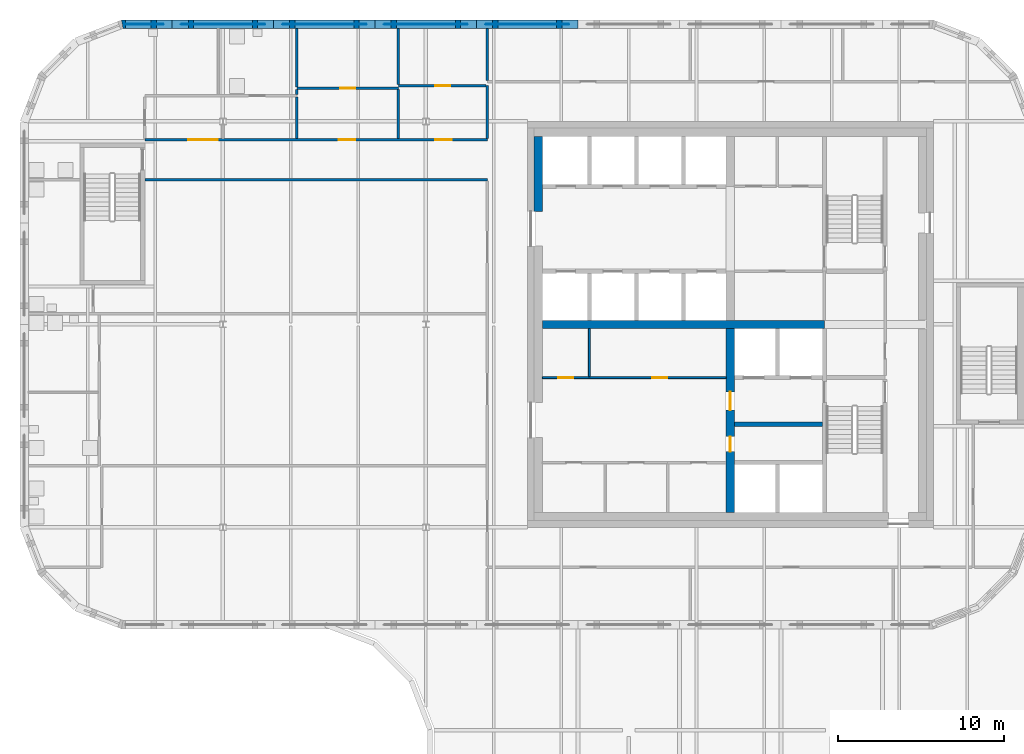
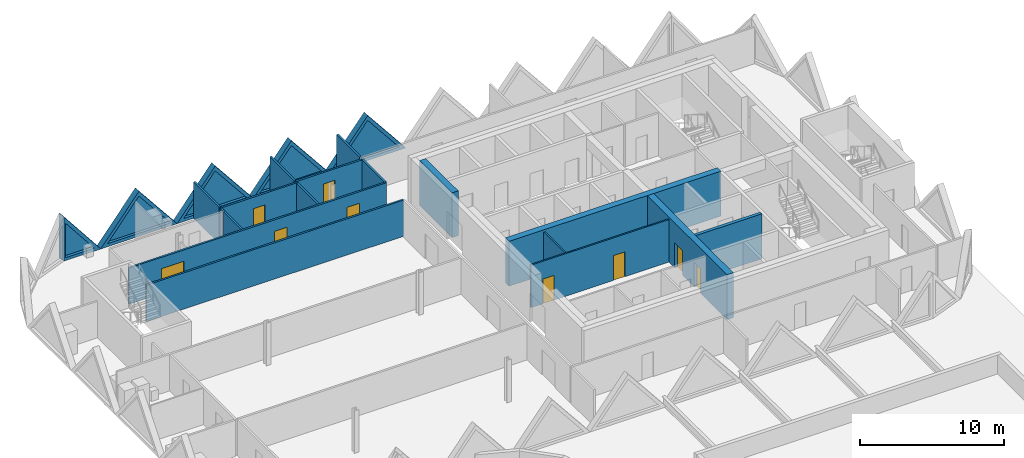
# One storey, part 7 of 12: 22 walls, 9 doors, 5 plates, 14 openings.
"""IFC4 building model written with IfcOpenShell, lengths in metres."""

from ifc_helpers import new_model, si_unit, direction, frame, frame_2d, origin, place, context, subcontext, project, spatial, polyline, rectangle, outline, extrude, faceted_brep, source, transform, mapped, material, layer, layer_set, type_object, element, fill, save


model = new_model("IFC4")

# Units and contexts
model_context = context("Model", 3, precision=1e-05, world=origin(), true_north=direction((0.0, 1.0)))
body_context = subcontext(model_context, "Body", "Model", "MODEL_VIEW")
ifc_project = project(units=[si_unit("LENGTHUNIT", "METRE"), si_unit("AREAUNIT", "SQUARE_METRE"), si_unit("VOLUMEUNIT", "CUBIC_METRE"), si_unit("PLANEANGLEUNIT", "RADIAN"), si_unit("MASSUNIT", "GRAM", prefix="KILO")], contexts=[model_context])

# Site, building, storey
site_placement = place(None, origin())
site = spatial("IfcSite", under=ifc_project, at=site_placement, CompositionType="ELEMENT")
building_placement = place(site_placement, origin())
building = spatial("IfcBuilding", under=site, at=building_placement, Name="Tessera Gate Towers", CompositionType="ELEMENT")
storey_placement = place(building_placement, frame((0.0, 0.0, 236.89990234375)))
storey = spatial("IfcBuildingStorey", under=building, at=storey_placement, Name="L59", CompositionType="ELEMENT", Elevation=236.89990234375)

# Wall
ifc_material_1 = material(Name="Concrete C40/50", Category="concrete")
ifc_layer_1 = layer(ifc_material_1, 0.25)
ifc_layer_set_1 = layer_set([ifc_layer_1], Name="CORE ENCLOSURE WALL 250")
wall_type_1 = type_object("IfcWallType", Name="CORE ENCLOSURE WALL 250", PredefinedType="SOLIDWALL", material=ifc_layer_set_1)
wall_1_placement = place(storey_placement, frame((42.949951171875, 30.60009765625, 0.0), z_axis=(0.0, 0.0, 1.0), x_axis=(1.0, 0.0, 0.0)))
element("IfcWall", 1, at=wall_1_placement, inside=storey, type_object=wall_type_1, Name="L59 shaft and stair enclosure wall", PredefinedType="SOLIDWALL", context=body_context, shape_type="SweptSolid", body=[
    extrude(rectangle(XDim=5.275146484375, YDim=0.25, at=frame_2d((2.6376953125, 0.0))), origin(), (0.0, 0.0, 1.0), 3.800048828125),
])

# Wall, openings, doors
ifc_material_2 = material(Name="Gypsum board on steel studs", Category="steel")
ifc_layer_2 = layer(ifc_material_2, 0.1201171875)
ifc_layer_set_2 = layer_set([ifc_layer_2], Name="CORE PARTITION 120")
wall_type_2 = type_object("IfcWallType", Name="CORE PARTITION 120", PredefinedType="PARTITIONING", material=ifc_layer_set_2)
wall_2_placement = place(storey_placement, frame((31.39990234375, 33.39990234375, 0.0), z_axis=(0.0, 0.0, 1.0), x_axis=(1.0, 0.0, 0.0)))
wall_2 = element("IfcWall", 2, at=wall_2_placement, inside=storey, type_object=wall_type_2, Name="L59 core partition", PredefinedType="PARTITIONING", context=body_context, shape_type="SweptSolid", body=[
    extrude(rectangle(XDim=11.050048828125, YDim=0.1201171875, at=frame_2d((5.52490234375, 0.0))), origin(), (0.0, 0.0, 1.0), 3.60009765625),
])
shared_shape_1 = source(origin(), body_context, "Body", "SweptSolid", [
    extrude(rectangle(XDim=0.89990234375, YDim=2.10009765625, at=frame_2d((0.449951171875, 1.050048828125))), frame((0.0, 0.070068359375, 0.0), z_axis=(0.0, -1.0, 0.0), x_axis=(1.0, 0.0, 0.0)), (0.0, 0.0, 1.0), 0.14013671875),
])
opening_1_placement = place(wall_2_placement, frame((0.96240234375, 0.0, 0.0)))
opening_1 = element("IfcOpeningElement", 3, at=opening_1_placement, cuts=wall_2, Name="Opening RD-T1-36-07", PredefinedType="OPENING", context=body_context, shape_type="MappedRepresentation", body=[
    mapped(shared_shape_1, transform((0.0, 0.0, 0.0), scale=1.0)),
])
opening_2_placement = place(wall_2_placement, frame((6.612548828125, 0.0, 0.0)))
opening_2 = element("IfcOpeningElement", 4, at=opening_2_placement, cuts=wall_2, Name="Opening RD-T1-36-08", PredefinedType="OPENING", context=body_context, shape_type="MappedRepresentation", body=[
    mapped(shared_shape_1, transform((0.0, 0.0, 0.0), scale=1.0)),
])
ifc_material_3 = material(Name="Hollow steel fire door", Category="steel")
door_type_1 = type_object("IfcDoorType", Name="CORE DOOR RD 900x2100", OperationType="NOTDEFINED", PredefinedType="DOOR", material=ifc_material_3)
shared_shape_2 = source(origin(), body_context, "Body", "SweptSolid", [
    extrude(rectangle(XDim=0.89990234375, YDim=2.10009765625, at=frame_2d((0.449951171875, 1.050048828125))), frame((0.0, 0.02490234375, 0.0), z_axis=(0.0, -1.0, 0.0), x_axis=(1.0, 0.0, 0.0)), (0.0, 0.0, 1.0), 0.050048828125),
])
door_1_placement = place(opening_1_placement, origin())
door_1 = element("IfcDoor", 5, at=door_1_placement, inside=storey, type_object=door_type_1, Name="Core room door", OperationType="SINGLE_SWING_LEFT", OverallHeight=2.10009765625, OverallWidth=0.89990234375, PredefinedType="DOOR", context=body_context, shape_type="MappedRepresentation", body=[
    mapped(shared_shape_2, transform((0.0, 0.0, 0.0), scale=1.0)),
])
fill(opening_1, door_1)
door_2_placement = place(opening_2_placement, origin())
door_2 = element("IfcDoor", 6, at=door_2_placement, inside=storey, type_object=door_type_1, Name="Core room door", OperationType="SINGLE_SWING_RIGHT", OverallHeight=2.10009765625, OverallWidth=0.89990234375, PredefinedType="DOOR", context=body_context, shape_type="MappedRepresentation", body=[
    mapped(shared_shape_2, transform((0.0, 0.0, 0.0), scale=1.0)),
])
fill(opening_2, door_2)

# Walls
wall_3_placement = place(storey_placement, frame((34.22509765625, 33.4599609375, 0.0), z_axis=(0.0, 0.0, 1.0), x_axis=(0.0, 1.0, 0.0)))
element("IfcWall", 7, at=wall_3_placement, inside=storey, type_object=wall_type_2, Name="L59 core partition", PredefinedType="PARTITIONING", context=body_context, shape_type="SweptSolid", body=[
    extrude(rectangle(XDim=2.89013671875, YDim=0.1201171875, at=frame_2d((1.445068359375, 0.0))), origin(), (0.0, 0.0, 1.0), 3.60009765625),
])
ifc_material_4 = material(Name="Concrete C40/50", Category="concrete")
ifc_layer_3 = layer(ifc_material_4, 0.5)
ifc_layer_set_3 = layer_set([ifc_layer_3], Name="CORE SPINE WALL 500 C40/50")
wall_type_3 = type_object("IfcWallType", Name="CORE SPINE WALL 500 C40/50", PredefinedType="SHEAR", material=ifc_layer_set_3)
wall_4_placement = place(storey_placement, frame((31.39990234375, 36.60009765625, 0.0), z_axis=(0.0, 0.0, 1.0), x_axis=(1.0, 0.0, 0.0)))
element("IfcWall", 8, at=wall_4_placement, inside=storey, type_object=wall_type_3, Name="Core wall spine L59", PredefinedType="SHEAR", context=body_context, shape_type="SweptSolid", body=[
    extrude(rectangle(XDim=16.9501953125, YDim=0.5, at=frame_2d((8.47509765625, 0.0))), origin(), (0.0, 0.0, 1.0), 3.800048828125),
])

# Wall, openings, doors
wall_5_placement = place(storey_placement, frame((42.699951171875, 36.35009765625, 0.0), z_axis=(0.0, 0.0, 1.0), x_axis=(0.0, -1.0, 0.0)))
wall_5 = element("IfcWall", 9, at=wall_5_placement, inside=storey, type_object=wall_type_3, Name="Core wall spine L59", PredefinedType="SHEAR", context=body_context, shape_type="SweptSolid", body=[
    extrude(rectangle(XDim=11.050048828125, YDim=0.5, at=frame_2d((5.52490234375, 0.0))), origin(), (0.0, 0.0, 1.0), 3.800048828125),
])
shared_shape_3 = source(origin(), body_context, "Body", "SweptSolid", [
    extrude(rectangle(XDim=0.89990234375, YDim=2.10009765625, at=frame_2d((0.449951171875, 1.050048828125))), frame((0.0, 0.260009765625, 0.0), z_axis=(0.0, -1.0, 0.0), x_axis=(1.0, 0.0, 0.0)), (0.0, 0.0, 1.0), 0.52001953125),
])
opening_3_placement = place(wall_5_placement, frame((6.5, 0.0, 0.0)))
opening_3 = element("IfcOpeningElement", 10, at=opening_3_placement, cuts=wall_5, Name="Opening RD-T1-36-05", PredefinedType="OPENING", context=body_context, shape_type="MappedRepresentation", body=[
    mapped(shared_shape_3, transform((0.0, 0.0, 0.0), scale=1.0)),
])
shared_shape_4 = source(origin(), body_context, "Body", "SweptSolid", [
    extrude(rectangle(XDim=1.10009765625, YDim=2.10009765625, at=frame_2d((0.550048828125, 1.050048828125))), frame((0.0, 0.260009765625, 0.0), z_axis=(0.0, -1.0, 0.0), x_axis=(1.0, 0.0, 0.0)), (0.0, 0.0, 1.0), 0.52001953125),
])
opening_4_placement = place(wall_5_placement, frame((3.800048828125, 0.0, 0.0)))
opening_4 = element("IfcOpeningElement", 11, at=opening_4_placement, cuts=wall_5, Name="Opening FD-T1-36-06", PredefinedType="OPENING", context=body_context, shape_type="MappedRepresentation", body=[
    mapped(shared_shape_4, transform((0.0, 0.0, 0.0), scale=1.0)),
])
door_3_placement = place(opening_3_placement, origin())
door_3 = element("IfcDoor", 12, at=door_3_placement, inside=storey, type_object=door_type_1, Name="Core room door", OperationType="SINGLE_SWING_RIGHT", OverallHeight=2.10009765625, OverallWidth=0.89990234375, PredefinedType="DOOR", context=body_context, shape_type="MappedRepresentation", body=[
    mapped(shared_shape_2, transform((0.0, 0.0, 0.0), scale=1.0)),
])
fill(opening_3, door_3)
ifc_material_5 = material(Name="Hollow steel fire door", Category="steel")
door_type_2 = type_object("IfcDoorType", Name="CORE DOOR FD 1100x2100", OperationType="NOTDEFINED", PredefinedType="DOOR", material=ifc_material_5)
shared_shape_5 = source(origin(), body_context, "Body", "SweptSolid", [
    extrude(rectangle(XDim=1.10009765625, YDim=2.10009765625, at=frame_2d((0.550048828125, 1.050048828125))), frame((0.0, 0.02490234375, 0.0), z_axis=(0.0, -1.0, 0.0), x_axis=(1.0, 0.0, 0.0)), (0.0, 0.0, 1.0), 0.050048828125),
])
door_4_placement = place(opening_4_placement, origin())
door_4 = element("IfcDoor", 13, at=door_4_placement, inside=storey, type_object=door_type_2, Name="Fire-fighting lobby door", OperationType="SINGLE_SWING_LEFT", OverallHeight=2.10009765625, OverallWidth=1.10009765625, PredefinedType="DOOR", context=body_context, shape_type="MappedRepresentation", body=[
    mapped(shared_shape_5, transform((0.0, 0.0, 0.0), scale=1.0)),
])
fill(opening_4, door_4)

# Walls
ifc_material_6 = material(Name="Concrete C40/50", Category="concrete")
ifc_layer_4 = layer(ifc_material_6, 0.5)
ifc_layer_set_4 = layer_set([ifc_layer_4], Name="CORE WALL THICKENING 500")
wall_type_4 = type_object("IfcWallType", Name="CORE WALL THICKENING 500", PredefinedType="SOLIDWALL", material=ifc_layer_set_4)
wall_6_placement = place(storey_placement, frame((31.14990234375, 43.39990234375, 0.0), z_axis=(0.0, 0.0, 1.0), x_axis=(0.0, 1.0, 0.0)))
element("IfcWall", 14, at=wall_6_placement, inside=storey, type_object=wall_type_4, Name="Core wall thickening W L59", PredefinedType="SOLIDWALL", context=body_context, shape_type="SweptSolid", body=[
    extrude(rectangle(XDim=4.5, YDim=0.5, at=frame_2d((2.25, 0.0))), origin(), (0.0, 0.0, 1.0), 3.800048828125),
])
ifc_material_7 = material(Name="Gypsum board on steel studs, mineral wool", Category="steel")
ifc_layer_5 = layer(ifc_material_7, 0.14990234375)
ifc_layer_set_5 = layer_set([ifc_layer_5], Name="CORRIDOR WALL 150")
wall_type_5 = type_object("IfcWallType", Name="CORRIDOR WALL 150", PredefinedType="PARTITIONING", material=ifc_layer_set_5)
wall_7_placement = place(storey_placement, frame((7.5, 45.300048828125, 0.0), z_axis=(0.0, 0.0, 1.0), x_axis=(1.0, 0.0, 0.0)))
element("IfcWall", 15, at=wall_7_placement, inside=storey, type_object=wall_type_5, Name="T1-L59-PW-017", PredefinedType="PARTITIONING", context=body_context, shape_type="SweptSolid", body=[
    extrude(rectangle(XDim=20.60009765625, YDim=0.14990234375, at=frame_2d((10.300048828125, 0.0))), origin(), (0.0, 0.0, 1.0), 3.067138671875),
])

# Wall, openings, doors
wall_8_placement = place(storey_placement, frame((7.5, 47.699951171875, 0.0), z_axis=(0.0, 0.0, 1.0), x_axis=(1.0, 0.0, 0.0)))
wall_8 = element("IfcWall", 16, at=wall_8_placement, inside=storey, type_object=wall_type_5, Name="T1-L59-PW-018", PredefinedType="PARTITIONING", context=body_context, shape_type="SweptSolid", body=[
    extrude(rectangle(XDim=20.60009765625, YDim=0.14990234375, at=frame_2d((10.300048828125, 0.0))), origin(), (0.0, 0.0, 1.0), 3.067138671875),
])
shared_shape_6 = source(origin(), body_context, "Body", "SweptSolid", [
    extrude(rectangle(XDim=1.0, YDim=2.10009765625, at=frame_2d((0.5, 1.050048828125))), frame((0.0, 0.0849609375, 0.0), z_axis=(0.0, -1.0, 0.0), x_axis=(1.0, 0.0, 0.0)), (0.0, 0.0, 1.0), 0.169921875),
])
opening_5_placement = place(wall_8_placement, frame((17.450927734375, 0.0, 0.0)))
opening_5 = element("IfcOpeningElement", 17, at=opening_5_placement, cuts=wall_8, Name="Opening D2100FD60-A36-01", PredefinedType="OPENING", context=body_context, shape_type="MappedRepresentation", body=[
    mapped(shared_shape_6, transform((0.0, 0.0, 0.0), scale=1.0)),
])
opening_6_placement = place(wall_8_placement, frame((11.65087890625, 0.0, 0.0)))
opening_6 = element("IfcOpeningElement", 18, at=opening_6_placement, cuts=wall_8, Name="Opening D2100FD60-A36-02", PredefinedType="OPENING", context=body_context, shape_type="MappedRepresentation", body=[
    mapped(shared_shape_6, transform((0.0, 0.0, 0.0), scale=1.0)),
])
shared_shape_7 = source(origin(), body_context, "Body", "SweptSolid", [
    extrude(rectangle(XDim=1.800048828125, YDim=2.10009765625, at=frame_2d((0.89990234375, 1.050048828125))), frame((0.0, 0.0849609375, 0.0), z_axis=(0.0, -1.0, 0.0), x_axis=(1.0, 0.0, 0.0)), (0.0, 0.0, 1.0), 0.169921875),
])
opening_7_placement = place(wall_8_placement, frame((2.60009765625, 0.0, 0.0)))
opening_7 = element("IfcOpeningElement", 19, at=opening_7_placement, cuts=wall_8, Name="Opening D2180FD60-A36-03", PredefinedType="OPENING", context=body_context, shape_type="MappedRepresentation", body=[
    mapped(shared_shape_7, transform((0.0, 0.0, 0.0), scale=1.0)),
])
ifc_material_8 = material(Name="Timber door leaf in steel frame", Category="steel")
door_type_3 = type_object("IfcDoorType", Name="TENANCY ENTRANCE DOOR 1000 FD60", OperationType="NOTDEFINED", PredefinedType="DOOR", material=ifc_material_8)
shared_shape_8 = source(origin(), body_context, "Body", "SweptSolid", [
    extrude(rectangle(XDim=1.0, YDim=2.10009765625, at=frame_2d((0.5, 1.050048828125))), frame((0.0, 0.02490234375, 0.0), z_axis=(0.0, -1.0, 0.0), x_axis=(1.0, 0.0, 0.0)), (0.0, 0.0, 1.0), 0.050048828125),
])
door_5_placement = place(opening_5_placement, origin())
door_5 = element("IfcDoor", 20, at=door_5_placement, inside=storey, type_object=door_type_3, Name="T1-L59-PD-007", OperationType="SINGLE_SWING_LEFT", OverallHeight=2.10009765625, OverallWidth=1.0, PredefinedType="DOOR", context=body_context, shape_type="MappedRepresentation", body=[
    mapped(shared_shape_8, transform((0.0, 0.0, 0.0), scale=1.0)),
])
fill(opening_5, door_5)
door_6_placement = place(opening_6_placement, origin())
door_6 = element("IfcDoor", 21, at=door_6_placement, inside=storey, type_object=door_type_3, Name="T1-L59-PD-009", OperationType="SINGLE_SWING_LEFT", OverallHeight=2.10009765625, OverallWidth=1.0, PredefinedType="DOOR", context=body_context, shape_type="MappedRepresentation", body=[
    mapped(shared_shape_8, transform((0.0, 0.0, 0.0), scale=1.0)),
])
fill(opening_6, door_6)
ifc_material_9 = material(Name="Timber door leaf in steel frame", Category="steel")
door_type_4 = type_object("IfcDoorType", Name="TENANCY ENTRANCE DOUBLE DOOR 1800 FD60", OperationType="NOTDEFINED", PredefinedType="DOOR", material=ifc_material_9)
shared_shape_9 = source(origin(), body_context, "Body", "SweptSolid", [
    extrude(rectangle(XDim=1.800048828125, YDim=2.10009765625, at=frame_2d((0.89990234375, 1.050048828125))), frame((0.0, 0.02490234375, 0.0), z_axis=(0.0, -1.0, 0.0), x_axis=(1.0, 0.0, 0.0)), (0.0, 0.0, 1.0), 0.050048828125),
])
door_7_placement = place(opening_7_placement, origin())
door_7 = element("IfcDoor", 22, at=door_7_placement, inside=storey, type_object=door_type_4, Name="T1-L59-PD-015", OperationType="DOUBLE_DOOR_SINGLE_SWING", OverallHeight=2.10009765625, OverallWidth=1.800048828125, PredefinedType="DOOR", context=body_context, shape_type="MappedRepresentation", body=[
    mapped(shared_shape_9, transform((0.0, 0.0, 0.0), scale=1.0)),
])
fill(opening_7, door_7)

# Walls
wall_9_placement = place(storey_placement, frame((28.10009765625, 47.77587890625, 0.0), z_axis=(0.0, 0.0, 1.0), x_axis=(0.0, 1.0, 0.0)))
element("IfcWall", 23, at=wall_9_placement, inside=storey, type_object=wall_type_5, Name="T1-L59-PW-022", PredefinedType="PARTITIONING", context=body_context, shape_type="SweptSolid", body=[
    extrude(rectangle(XDim=3.174072265625, YDim=0.14990234375, at=frame_2d((1.5869140625, 0.0))), origin(), (0.0, 0.0, 1.0), 3.067138671875),
])
ifc_material_10 = material(Name="Gypsum board on steel studs, mineral wool", Category="steel")
ifc_layer_6 = layer(ifc_material_10, 0.14990234375)
ifc_layer_set_6 = layer_set([ifc_layer_6], Name="TENANCY WALL 150")
wall_type_6 = type_object("IfcWallType", Name="TENANCY WALL 150", PredefinedType="PARTITIONING", material=ifc_layer_set_6)
wall_10_placement = place(storey_placement, frame((16.64990234375, 47.77587890625, 0.0), z_axis=(0.0, 0.0, 1.0), x_axis=(0.0, 1.0, 0.0)))
element("IfcWall", 24, at=wall_10_placement, inside=storey, type_object=wall_type_6, Name="T1-L59-PW-020", PredefinedType="PARTITIONING", context=body_context, shape_type="SweptSolid", body=[
    extrude(rectangle(XDim=2.498046875, YDim=0.14990234375, at=frame_2d((1.2490234375, 0.0))), origin(), (0.0, 0.0, 1.0), 3.067138671875),
])
wall_11_placement = place(storey_placement, frame((22.75, 47.77587890625, 0.0), z_axis=(0.0, 0.0, 1.0), x_axis=(0.0, 1.0, 0.0)))
element("IfcWall", 25, at=wall_11_placement, inside=storey, type_object=wall_type_6, Name="T1-L59-PW-021", PredefinedType="PARTITIONING", context=body_context, shape_type="SweptSolid", body=[
    extrude(rectangle(XDim=2.9482421875, YDim=0.14990234375, at=frame_2d((1.47412109375, 0.0))), origin(), (0.0, 0.0, 1.0), 3.067138671875),
])
wall_12_placement = place(storey_placement, frame((16.64990234375, 50.426025390625, 0.0), z_axis=(0.0, 0.0, 1.0), x_axis=(0.0, 1.0, 0.0)))
element("IfcWall", 26, at=wall_12_placement, inside=storey, type_object=wall_type_6, Name="T1-L59-PW-026", PredefinedType="PARTITIONING", context=body_context, shape_type="SweptSolid", body=[
    extrude(rectangle(XDim=0.298095703125, YDim=0.14990234375, at=frame_2d((0.14892578125, 0.0))), origin(), (0.0, 0.0, 1.0), 3.067138671875),
])

# Wall, opening, door
wall_13_placement = place(storey_placement, frame((16.64990234375, 50.800048828125, 0.0), z_axis=(0.0, 0.0, 1.0), x_axis=(1.0, 0.0, 0.0)))
wall_13 = element("IfcWall", 27, at=wall_13_placement, inside=storey, type_object=wall_type_6, Name="T1-L59-PW-027", PredefinedType="PARTITIONING", context=body_context, shape_type="SweptSolid", body=[
    extrude(rectangle(XDim=6.10009765625, YDim=0.14990234375, at=frame_2d((3.050048828125, 0.0))), origin(), (0.0, 0.0, 1.0), 3.067138671875),
])
shared_shape_10 = source(origin(), body_context, "Body", "SweptSolid", [
    extrude(rectangle(XDim=0.89990234375, YDim=2.10009765625, at=frame_2d((0.449951171875, 1.050048828125))), frame((0.0, 0.0849609375, 0.0), z_axis=(0.0, -1.0, 0.0), x_axis=(1.0, 0.0, 0.0)), (0.0, 0.0, 1.0), 0.169921875),
])
opening_8_placement = place(wall_13_placement, frame((2.60009765625, 0.0, 0.0)))
opening_8 = element("IfcOpeningElement", 28, at=opening_8_placement, cuts=wall_13, Name="Opening D190-A36-06", PredefinedType="OPENING", context=body_context, shape_type="MappedRepresentation", body=[
    mapped(shared_shape_10, transform((0.0, 0.0, 0.0), scale=1.0)),
])
ifc_material_11 = material(Name="Timber door leaf in steel frame", Category="steel")
door_type_5 = type_object("IfcDoorType", Name="INTERNAL DOOR 900 NOT RATED", OperationType="NOTDEFINED", PredefinedType="DOOR", material=ifc_material_11)
door_8_placement = place(opening_8_placement, origin())
door_8 = element("IfcDoor", 29, at=door_8_placement, inside=storey, type_object=door_type_5, Name="T1-L59-PD-010", OperationType="SINGLE_SWING_LEFT", OverallHeight=2.10009765625, OverallWidth=0.89990234375, PredefinedType="DOOR", context=body_context, shape_type="MappedRepresentation", body=[
    mapped(shared_shape_2, transform((0.0, 0.0, 0.0), scale=1.0)),
])
fill(opening_8, door_8)

# Wall
wall_14_placement = place(storey_placement, frame((16.64990234375, 50.8759765625, 0.0), z_axis=(0.0, 0.0, 1.0), x_axis=(0.0, 1.0, 0.0)))
element("IfcWall", 30, at=wall_14_placement, inside=storey, type_object=wall_type_6, Name="T1-L59-PW-028", PredefinedType="PARTITIONING", context=body_context, shape_type="SweptSolid", body=[
    extrude(rectangle(XDim=3.52392578125, YDim=0.14990234375, at=frame_2d((1.761962890625, 0.0))), origin(), (0.0, 0.0, 1.0), 3.067138671875),
])

# Wall, opening, door
wall_15_placement = place(storey_placement, frame((22.75, 50.949951171875, 0.0), z_axis=(0.0, 0.0, 1.0), x_axis=(1.0, 0.0, 0.0)))
wall_15 = element("IfcWall", 31, at=wall_15_placement, inside=storey, type_object=wall_type_6, Name="T1-L59-PW-029", PredefinedType="PARTITIONING", context=body_context, shape_type="SweptSolid", body=[
    extrude(rectangle(XDim=5.27392578125, YDim=0.14990234375, at=frame_2d((2.636962890625, 0.0))), origin(), (0.0, 0.0, 1.0), 3.067138671875),
])
opening_9_placement = place(wall_15_placement, frame((2.199951171875, 0.0, 0.0)))
opening_9 = element("IfcOpeningElement", 32, at=opening_9_placement, cuts=wall_15, Name="Opening D190-A36-05", PredefinedType="OPENING", context=body_context, shape_type="MappedRepresentation", body=[
    mapped(shared_shape_10, transform((0.0, 0.0, 0.0), scale=1.0)),
])
door_9_placement = place(opening_9_placement, origin())
door_9 = element("IfcDoor", 33, at=door_9_placement, inside=storey, type_object=door_type_5, Name="T1-L59-PD-006", OperationType="SINGLE_SWING_LEFT", OverallHeight=2.10009765625, OverallWidth=0.89990234375, PredefinedType="DOOR", context=body_context, shape_type="MappedRepresentation", body=[
    mapped(shared_shape_2, transform((0.0, 0.0, 0.0), scale=1.0)),
])
fill(opening_9, door_9)

# Walls
wall_16_placement = place(storey_placement, frame((22.75, 51.02587890625, 0.0), z_axis=(0.0, 0.0, 1.0), x_axis=(0.0, 1.0, 0.0)))
element("IfcWall", 34, at=wall_16_placement, inside=storey, type_object=wall_type_6, Name="T1-L59-PW-030", PredefinedType="PARTITIONING", context=body_context, shape_type="SweptSolid", body=[
    extrude(rectangle(XDim=3.3740234375, YDim=0.14990234375, at=frame_2d((1.68701171875, 0.0))), origin(), (0.0, 0.0, 1.0), 3.067138671875),
])
wall_17_placement = place(storey_placement, frame((28.10009765625, 51.27587890625, 0.0), z_axis=(0.0, 0.0, 1.0), x_axis=(0.0, 1.0, 0.0)))
element("IfcWall", 35, at=wall_17_placement, inside=storey, type_object=wall_type_6, Name="T1-L59-PW-032", PredefinedType="PARTITIONING", context=body_context, shape_type="SweptSolid", body=[
    extrude(rectangle(XDim=3.1240234375, YDim=0.14990234375, at=frame_2d((1.56201171875, 0.0))), origin(), (0.0, 0.0, 1.0), 3.067138671875),
])

# Wall, opening, plate
ifc_material_12 = material(Name="Precast concrete C60/75 white", Category="concrete")
ifc_layer_7 = layer(ifc_material_12, 0.5)
ifc_layer_set_7 = layer_set([ifc_layer_7], Name="TS2 half tessera")
wall_type_7 = type_object("IfcWallType", Name="TS2 half tessera", PredefinedType="SOLIDWALL", material=ifc_layer_set_7)
shared_shape_11 = source(origin(), body_context, "Body", "Brep", [
    faceted_brep([(6.099853515625, -0.25, 0.000244140625), (3.050048828125, -0.25, 3.800048828125), (0.0, -0.25, 0.0), (6.099853515625, -0.25, 0.0), (0.0, 0.25, 0.0), (3.050048828125, 0.25, 3.800048828125), (6.099853515625, 0.25, 0.000244140625), (6.099853515625, 0.25, 0.0)], [[[0, 1, 2, 3]], [[4, 5, 6, 7]], [[6, 5, 1, 0]], [[5, 4, 2, 1]], [[4, 7, 3, 2]], [[3, 7, 6, 0]]]),
])
wall_18_placement = place(storey_placement, frame((27.449951171875, 54.64990234375, 0.0), z_axis=(0.0, 0.0, 1.0), x_axis=(-1.0, 0.0, 0.0)))
wall_18 = element("IfcWall", 36, at=wall_18_placement, inside=storey, type_object=wall_type_7, Name="Precast half tessera T1 TS2-0291", PredefinedType="SOLIDWALL", context=body_context, shape_type="MappedRepresentation", body=[
    mapped(shared_shape_11, transform((0.0, 0.0, 0.0), scale=1.0)),
])
shared_shape_12 = source(origin(), body_context, "Body", "SweptSolid", [
    extrude(outline(polyline([(5.578857421875, 0.25), (3.050048828125, 3.400634765625), (0.521240234375, 0.25), (5.578857421875, 0.25)])), frame((0.0, 0.260009765625, 0.0), z_axis=(0.0, -1.0, 0.0), x_axis=(1.0, 0.0, 0.0)), (0.0, 0.0, 1.0), 0.52001953125),
])
opening_10_placement = place(wall_18_placement, origin())
opening_10 = element("IfcOpeningElement", 37, at=opening_10_placement, cuts=wall_18, Name="Opening T1-PL1-0595", PredefinedType="OPENING", context=body_context, shape_type="MappedRepresentation", body=[
    mapped(shared_shape_12, transform((0.0, 0.0, 0.0), scale=1.0)),
])
ifc_material_13 = material(Name="Low-e laminated glass", Category="glass")
ifc_layer_8 = layer(ifc_material_13, 0.06005859375)
ifc_layer_set_8 = layer_set([ifc_layer_8], Name="PL1 triangular pane")
plate_type = type_object("IfcPlateType", Name="PL1 triangular pane", PredefinedType="SHEET", material=ifc_layer_set_8)
shared_shape_13 = source(origin(), body_context, "Body", "SweptSolid", [
    extrude(outline(polyline([(5.578857421875, 0.25), (3.050048828125, 3.400634765625), (0.521240234375, 0.25), (5.578857421875, 0.25)])), frame((0.0, 0.030029296875, 0.0), z_axis=(0.0, -1.0, 0.0), x_axis=(1.0, 0.0, 0.0)), (0.0, 0.0, 1.0), 0.06005859375),
])
plate_1_placement = place(opening_10_placement, origin())
plate_1 = element("IfcPlate", 38, at=plate_1_placement, inside=storey, type_object=plate_type, Name="Glass pane T1 PL1-0595", PredefinedType="SHEET", context=body_context, shape_type="MappedRepresentation", body=[
    mapped(shared_shape_13, transform((0.0, 0.0, 0.0), scale=1.0)),
])
fill(opening_10, plate_1)

shared_shape_14 = source(origin(), body_context, "Body", "SweptSolid", [
    extrude(outline(polyline([(6.10009765625, 0.0), (3.050048828125, 3.800048828125), (0.0, 0.0), (6.10009765625, 0.0)])), frame((0.0, 0.25, 0.0), z_axis=(0.0, -1.0, 0.0), x_axis=(1.0, 0.0, 0.0)), (0.0, 0.0, 1.0), 0.5),
])
wall_19_placement = place(storey_placement, frame((33.550048828125, 54.64990234375, 0.0), z_axis=(0.0, 0.0, 1.0), x_axis=(-1.0, 0.0, 0.0)))
wall_19 = element("IfcWall", 39, at=wall_19_placement, inside=storey, type_object=wall_type_7, Name="Precast half tessera T1 TS2-0290", PredefinedType="SOLIDWALL", context=body_context, shape_type="MappedRepresentation", body=[
    mapped(shared_shape_14, transform((0.0, 0.0, 0.0), scale=1.0)),
])
opening_11_placement = place(wall_19_placement, origin())
opening_11 = element("IfcOpeningElement", 40, at=opening_11_placement, cuts=wall_19, Name="Opening T1-PL1-0594", PredefinedType="OPENING", context=body_context, shape_type="MappedRepresentation", body=[
    mapped(shared_shape_12, transform((0.0, 0.0, 0.0), scale=1.0)),
])
plate_2_placement = place(opening_11_placement, origin())
plate_2 = element("IfcPlate", 41, at=plate_2_placement, inside=storey, type_object=plate_type, Name="Glass pane T1 PL1-0594", PredefinedType="SHEET", context=body_context, shape_type="MappedRepresentation", body=[
    mapped(shared_shape_13, transform((0.0, 0.0, 0.0), scale=1.0)),
])
fill(opening_11, plate_2)

wall_20_placement = place(storey_placement, frame((21.35009765625, 54.64990234375, 0.0), z_axis=(0.0, 0.0, 1.0), x_axis=(-1.0, 0.0, 0.0)))
wall_20 = element("IfcWall", 42, at=wall_20_placement, inside=storey, type_object=wall_type_7, Name="Precast half tessera T1 TS2-0292", PredefinedType="SOLIDWALL", context=body_context, shape_type="MappedRepresentation", body=[
    mapped(shared_shape_14, transform((0.0, 0.0, 0.0), scale=1.0)),
])
opening_12_placement = place(wall_20_placement, origin())
opening_12 = element("IfcOpeningElement", 43, at=opening_12_placement, cuts=wall_20, Name="Opening T1-PL1-0596", PredefinedType="OPENING", context=body_context, shape_type="MappedRepresentation", body=[
    mapped(shared_shape_12, transform((0.0, 0.0, 0.0), scale=1.0)),
])
plate_3_placement = place(opening_12_placement, origin())
plate_3 = element("IfcPlate", 44, at=plate_3_placement, inside=storey, type_object=plate_type, Name="Glass pane T1 PL1-0596", PredefinedType="SHEET", context=body_context, shape_type="MappedRepresentation", body=[
    mapped(shared_shape_13, transform((0.0, 0.0, 0.0), scale=1.0)),
])
fill(opening_12, plate_3)

wall_21_placement = place(storey_placement, frame((15.25, 54.64990234375, 0.0), z_axis=(0.0, 0.0, 1.0), x_axis=(-1.0, 0.0, 0.0)))
wall_21 = element("IfcWall", 45, at=wall_21_placement, inside=storey, type_object=wall_type_7, Name="Precast half tessera T1 TS2-0293", PredefinedType="SOLIDWALL", context=body_context, shape_type="MappedRepresentation", body=[
    mapped(shared_shape_14, transform((0.0, 0.0, 0.0), scale=1.0)),
])
opening_13_placement = place(wall_21_placement, origin())
opening_13 = element("IfcOpeningElement", 46, at=opening_13_placement, cuts=wall_21, Name="Opening T1-PL1-0597", PredefinedType="OPENING", context=body_context, shape_type="MappedRepresentation", body=[
    mapped(shared_shape_12, transform((0.0, 0.0, 0.0), scale=1.0)),
])
plate_4_placement = place(opening_13_placement, origin())
plate_4 = element("IfcPlate", 47, at=plate_4_placement, inside=storey, type_object=plate_type, Name="Glass pane T1 PL1-0597", PredefinedType="SHEET", context=body_context, shape_type="MappedRepresentation", body=[
    mapped(shared_shape_13, transform((0.0, 0.0, 0.0), scale=1.0)),
])
fill(opening_13, plate_4)

ifc_material_14 = material(Name="Precast concrete C60/75 white", Category="concrete")
ifc_layer_9 = layer(ifc_material_14, 0.5)
ifc_layer_set_9 = layer_set([ifc_layer_9], Name="TS3 corner tessera")
wall_type_8 = type_object("IfcWallType", Name="TS3 corner tessera", PredefinedType="SOLIDWALL", material=ifc_layer_set_9)
shared_shape_15 = source(origin(), body_context, "Body", "Brep", [
    faceted_brep([(3.050048828125, -0.25, 3.739990234375), (3.00341796875, -0.25, 3.800048828125), (0.0, -0.25, 0.0), (3.050048828125, -0.25, 0.0), (0.0, 0.25, 0.0), (2.956787109375, 0.25, 3.7412109375), (2.956787109375, 0.25, 0.0), (3.00341796875, 0.000244140625, 3.800048828125)], [[[0, 1, 2, 3]], [[4, 5, 6]], [[7, 1, 0]], [[5, 4, 2, 1, 7]], [[4, 6, 3, 2]], [[3, 6, 5, 7, 0]]]),
])
wall_22_placement = place(storey_placement, frame((9.14990234375, 54.64990234375, 0.0), z_axis=(0.0, 0.0, 1.0), x_axis=(-1.0, 0.0, 0.0)))
wall_22 = element("IfcWall", 48, at=wall_22_placement, inside=storey, type_object=wall_type_8, Name="Precast corner tessera T1 TS3-1379", PredefinedType="SOLIDWALL", context=body_context, shape_type="MappedRepresentation", body=[
    mapped(shared_shape_15, transform((0.0, 0.0, 0.0), scale=1.0)),
])
shared_shape_16 = source(origin(), body_context, "Body", "SweptSolid", [
    extrude(outline(polyline([(2.803466796875, 3.143798828125), (0.516357421875, 0.25), (2.803466796875, 0.25), (2.803466796875, 3.143798828125)])), frame((0.0, 0.260009765625, 0.0), z_axis=(0.0, -1.0, 0.0), x_axis=(1.0, 0.0, 0.0)), (0.0, 0.0, 1.0), 0.52001953125),
])
opening_14_placement = place(wall_22_placement, origin())
opening_14 = element("IfcOpeningElement", 49, at=opening_14_placement, cuts=wall_22, Name="Opening T1-PL1-0598", PredefinedType="OPENING", context=body_context, shape_type="MappedRepresentation", body=[
    mapped(shared_shape_16, transform((0.0, 0.0, 0.0), scale=1.0)),
])
shared_shape_17 = source(origin(), body_context, "Body", "SweptSolid", [
    extrude(outline(polyline([(2.803466796875, 3.143798828125), (0.516357421875, 0.25), (2.803466796875, 0.25), (2.803466796875, 3.143798828125)])), frame((0.0, 0.030029296875, 0.0), z_axis=(0.0, -1.0, 0.0), x_axis=(1.0, 0.0, 0.0)), (0.0, 0.0, 1.0), 0.06005859375),
])
plate_5_placement = place(opening_14_placement, origin())
plate_5 = element("IfcPlate", 50, at=plate_5_placement, inside=storey, type_object=plate_type, Name="Glass pane T1 PL1-0598", PredefinedType="SHEET", context=body_context, shape_type="MappedRepresentation", body=[
    mapped(shared_shape_17, transform((0.0, 0.0, 0.0), scale=1.0)),
])
fill(opening_14, plate_5)

save(model, "model.ifc")
